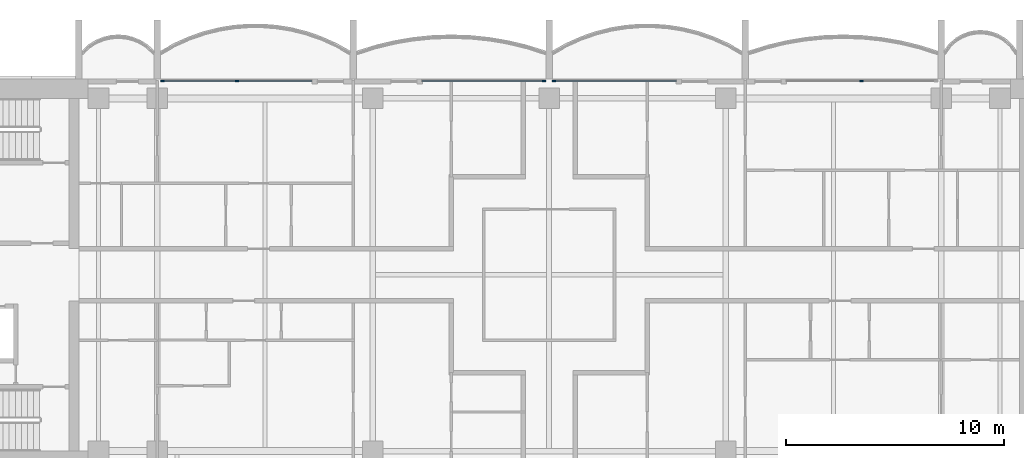
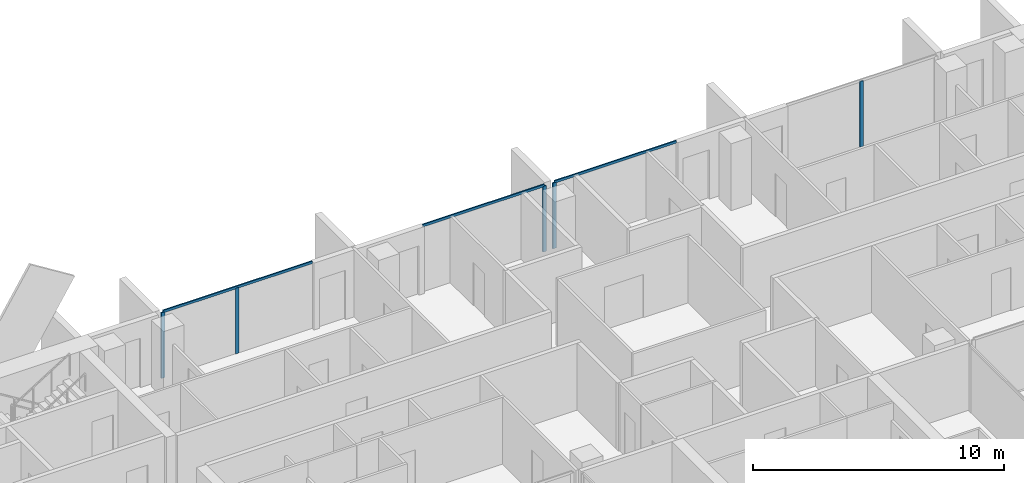
# One storey, part 5 of 17: 8 members, 4 elements without a shape of their own.
"""IFC4 building model written with IfcOpenShell, lengths in metres."""

from ifc_helpers import new_model, si_unit, direction, frame, origin, origin_2d, place, context, subcontext, project, spatial, rectangle, extrude, material, material_profile, profile_set, type_object, element, aggregate, save


model = new_model("IFC4")

# Units and contexts
model_context = context("Model", 3, precision=1e-05, world=origin(), true_north=direction((0.0, 1.0)))
body_context = subcontext(model_context, "Body", "Model", "MODEL_VIEW")
ifc_project = project(units=[si_unit("LENGTHUNIT", "METRE"), si_unit("AREAUNIT", "SQUARE_METRE"), si_unit("VOLUMEUNIT", "CUBIC_METRE"), si_unit("PLANEANGLEUNIT", "RADIAN"), si_unit("MASSUNIT", "GRAM", prefix="KILO")], contexts=[model_context])

# Site, building, storey
site_placement = place(None, origin())
site = spatial("IfcSite", under=ifc_project, at=site_placement, CompositionType="ELEMENT")
building_placement = place(site_placement, origin())
building = spatial("IfcBuilding", under=site, at=building_placement, Name="Perihelion Cross Residences", CompositionType="ELEMENT")
storey_placement = place(building_placement, frame((0.0, 0.0, 198.10009765625)))
storey = spatial("IfcBuildingStorey", under=building, at=storey_placement, Name="L49", CompositionType="ELEMENT", Elevation=198.10009765625)

# Curtain wall, member
ifc_material_1 = material(Name="Bronze anodised aluminium, tinted glazing", Category="aluminium")
curtain_wall_type = type_object("IfcCurtainWallType", Name="CW1", PredefinedType="NOTDEFINED", material=ifc_material_1)
curtain_wall_1_placement = place(storey_placement, origin())
curtain_wall_1 = element("IfcCurtainWall", 1, at=curtain_wall_1_placement, inside=storey, type_object=curtain_wall_type, Name="Curtain wall CW1 L49 east side north bay 2", PredefinedType="NOTDEFINED")
ifc_material_2 = material(Name="Bronze anodised aluminium", Category="aluminium")
ifc_material_profile_1 = material_profile(ifc_material_2, rectangle(XDim=0.06005859375, YDim=0.159912109375, at=origin_2d()), Name="CW1 mullion")
ifc_profile_set_1 = profile_set([ifc_material_profile_1], Name="Bronze anodised aluminium")
member_type_1 = type_object("IfcMemberType", Name="CW1 mullion", PredefinedType="MULLION", material=ifc_profile_set_1)
member_1_placement = place(storey_placement, frame((14.35009765625, 8.89990234375, 0.0), z_axis=(0.0, 0.0, 1.0), x_axis=(0.0, -1.0, 0.0)))
member_1 = element("IfcMember", 2, at=member_1_placement, type_object=member_type_1, Name="CW1 mullion 2", PredefinedType="MULLION", context=body_context, shape_type="SweptSolid", body=[
    extrude(rectangle(XDim=0.06005859375, YDim=0.159912109375, at=origin_2d()), origin(), (0.0, 0.0, 1.0), 3.18994140625),
])
aggregate(curtain_wall_1, [member_1])

curtain_wall_2_placement = place(storey_placement, origin())
curtain_wall_2 = element("IfcCurtainWall", 3, at=curtain_wall_2_placement, inside=storey, type_object=curtain_wall_type, Name="Curtain wall CW1 L49 north side east bay 1", PredefinedType="NOTDEFINED")
member_2_placement = place(storey_placement, frame((0.22998046875, 8.89990234375, 0.0), z_axis=(0.0, 0.0, 1.0), x_axis=(0.0, -1.0, 0.0)))
member_2 = element("IfcMember", 4, at=member_2_placement, type_object=member_type_1, Name="CW1 mullion 2", PredefinedType="MULLION", context=body_context, shape_type="SweptSolid", body=[
    extrude(rectangle(XDim=0.06005859375, YDim=0.159912109375, at=origin_2d()), origin(), (0.0, 0.0, 1.0), 3.18994140625),
])

curtain_wall_3_placement = place(storey_placement, origin())
curtain_wall_3 = element("IfcCurtainWall", 5, at=curtain_wall_3_placement, inside=storey, type_object=curtain_wall_type, Name="Curtain wall CW1 L49 north side east bay 2", PredefinedType="NOTDEFINED")
member_3_placement = place(storey_placement, frame((-0.22998046875, 8.89990234375, 0.0), z_axis=(0.0, 0.0, 1.0), x_axis=(0.0, -1.0, 0.0)))
member_3 = element("IfcMember", 6, at=member_3_placement, type_object=member_type_1, Name="CW1 mullion 1", PredefinedType="MULLION", context=body_context, shape_type="SweptSolid", body=[
    extrude(rectangle(XDim=0.06005859375, YDim=0.159912109375, at=origin_2d()), origin(), (0.0, 0.0, 1.0), 3.18994140625),
])

# Curtain wall, members
curtain_wall_4_placement = place(storey_placement, origin())
curtain_wall_4 = element("IfcCurtainWall", 7, at=curtain_wall_4_placement, inside=storey, type_object=curtain_wall_type, Name="Curtain wall CW1 L49 west side north bay 1", PredefinedType="NOTDEFINED")
member_4_placement = place(storey_placement, frame((-14.35009765625, 8.89990234375, 0.0), z_axis=(0.0, 0.0, 1.0), x_axis=(0.0, -1.0, 0.0)))
member_4 = element("IfcMember", 8, at=member_4_placement, type_object=member_type_1, Name="CW1 mullion 2", PredefinedType="MULLION", context=body_context, shape_type="SweptSolid", body=[
    extrude(rectangle(XDim=0.06005859375, YDim=0.159912109375, at=origin_2d()), origin(), (0.0, 0.0, 1.0), 3.18994140625),
])
member_5_placement = place(storey_placement, frame((-17.77001953125, 8.89990234375, 0.0), z_axis=(0.0, 0.0, 1.0), x_axis=(0.0, -1.0, 0.0)))
member_5 = element("IfcMember", 9, at=member_5_placement, type_object=member_type_1, Name="CW1 mullion 3", PredefinedType="MULLION", context=body_context, shape_type="SweptSolid", body=[
    extrude(rectangle(XDim=0.06005859375, YDim=0.159912109375, at=origin_2d()), origin(), (0.0, 0.0, 1.0), 3.18994140625),
])

# Member
ifc_material_3 = material(Name="Bronze anodised aluminium", Category="aluminium")
ifc_material_profile_2 = material_profile(ifc_material_3, rectangle(XDim=0.06005859375, YDim=0.1201171875, at=origin_2d()), Name="CW1 transom")
ifc_profile_set_2 = profile_set([ifc_material_profile_2], Name="Bronze anodised aluminium")
member_type_2 = type_object("IfcMemberType", Name="CW1 transom", PredefinedType="USERDEFINED", material=ifc_profile_set_2)
member_6_placement = place(storey_placement, frame((5.824951171875, 8.89990234375, 3.219970703125), z_axis=(-1.0, 0.0, 0.0), x_axis=(0.0, -1.0, 0.0)))
member_6 = element("IfcMember", 10, at=member_6_placement, type_object=member_type_2, Name="CW1 head transom", ObjectType="TRANSOM", PredefinedType="USERDEFINED", context=body_context, shape_type="SweptSolid", body=[
    extrude(rectangle(XDim=0.06005859375, YDim=0.1201171875, at=origin_2d()), origin(), (0.0, 0.0, 1.0), 5.594970703125),
])

aggregate(curtain_wall_2, [member_2, member_6])

member_7_placement = place(storey_placement, frame((-0.22998046875, 8.89990234375, 3.219970703125), z_axis=(-1.0, 0.0, 0.0), x_axis=(0.0, -1.0, 0.0)))
member_7 = element("IfcMember", 11, at=member_7_placement, type_object=member_type_2, Name="CW1 head transom", ObjectType="TRANSOM", PredefinedType="USERDEFINED", context=body_context, shape_type="SweptSolid", body=[
    extrude(rectangle(XDim=0.06005859375, YDim=0.1201171875, at=origin_2d()), origin(), (0.0, 0.0, 1.0), 5.594970703125),
])

aggregate(curtain_wall_3, [member_3, member_7])

member_8_placement = place(storey_placement, frame((-10.89990234375, 8.89990234375, 3.219970703125), z_axis=(-1.0, 0.0, 0.0), x_axis=(0.0, -1.0, 0.0)))
member_8 = element("IfcMember", 12, at=member_8_placement, type_object=member_type_2, Name="CW1 head transom", ObjectType="TRANSOM", PredefinedType="USERDEFINED", context=body_context, shape_type="SweptSolid", body=[
    extrude(rectangle(XDim=0.06005859375, YDim=0.1201171875, at=origin_2d()), origin(), (0.0, 0.0, 1.0), 6.8701171875),
])

aggregate(curtain_wall_4, [member_4, member_5, member_8])

save(model, "model.ifc")
